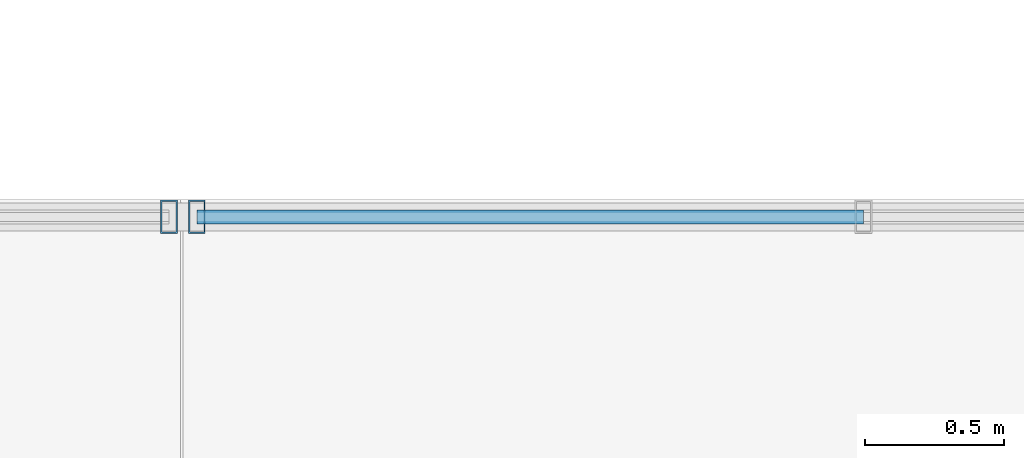
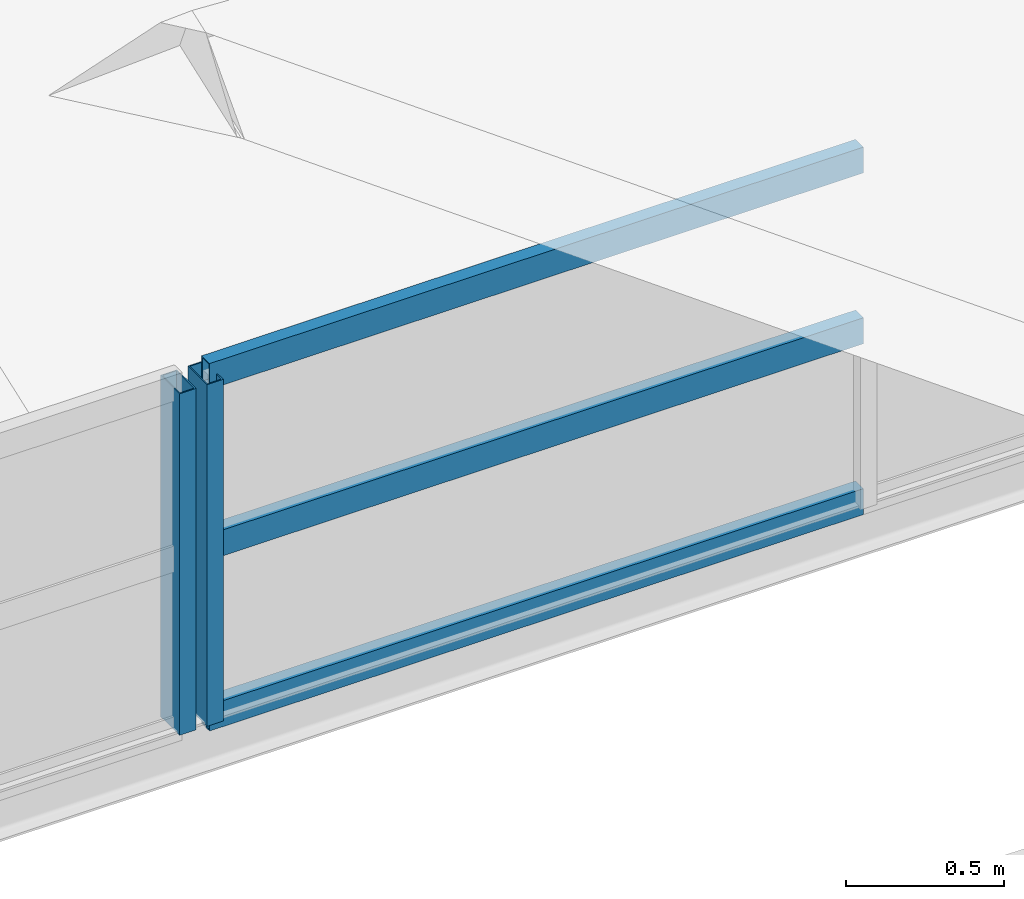
# One storey, part 47 of 141: 5 members, 2 elements without a shape of their own.
"""IFC4 building model written with IfcOpenShell, lengths in metres."""

from ifc_helpers import new_model, si_unit, direction, frame, origin, origin_2d, place, context, subcontext, project, spatial, hollow_rectangle, extrude, material, material_profile, profile_set, type_object, element, aggregate, save


model = new_model("IFC4")

# Units and contexts
model_context = context("Model", 3, precision=1e-05, world=origin(), true_north=direction((0.0, 1.0)))
body_context = subcontext(model_context, "Body", "Model", "MODEL_VIEW")
ifc_project = project(units=[si_unit("LENGTHUNIT", "METRE"), si_unit("AREAUNIT", "SQUARE_METRE"), si_unit("VOLUMEUNIT", "CUBIC_METRE"), si_unit("PLANEANGLEUNIT", "RADIAN"), si_unit("MASSUNIT", "GRAM", prefix="KILO")], contexts=[model_context])

# Site, building, storey
site_placement = place(None, origin())
site = spatial("IfcSite", under=ifc_project, at=site_placement, CompositionType="ELEMENT")
building_placement = place(site_placement, origin())
building = spatial("IfcBuilding", under=site, at=building_placement, Name="Sundkrona Museum", CompositionType="ELEMENT")
storey_placement = place(building_placement, frame((0.0, 0.0, 34.0)))
storey = spatial("IfcBuildingStorey", under=building, at=storey_placement, Name="RF", CompositionType="ELEMENT", Elevation=34.0)

# Curtain wall, member
ifc_material_1 = material(Name="Unitised Aluminium-Steel and Ceramic-Clad Curtain Walling", Category="steel")
curtain_wall_type = type_object("IfcCurtainWallType", Name="CW-SW-240x13", PredefinedType="NOTDEFINED", material=ifc_material_1)
curtain_wall_1_placement = place(storey_placement, origin())
curtain_wall_1 = element("IfcCurtainWall", 1, at=curtain_wall_1_placement, inside=storey, type_object=curtain_wall_type, Name="Sawtooth Bay 4 West North-Light Clerestory", PredefinedType="NOTDEFINED")
ifc_material_2 = material(Name="Aluminium EN AW-6060 T66", Category="aluminium")
ifc_material_profile_1 = material_profile(ifc_material_2, hollow_rectangle(XDim=0.06005859375, YDim=0.1201171875, WallThickness=0.0048828125, at=origin_2d()), Name="RHS 120x60x5.0")
ifc_profile_set_1 = profile_set([ifc_material_profile_1], Name="Aluminium EN AW-6060 T66")
member_type_1 = type_object("IfcMemberType", Name="ML-120", PredefinedType="MULLION", material=ifc_profile_set_1)
member_1_placement = place(storey_placement, frame((143.949951171875, 26.5, 3.472900390625), z_axis=(0.0, 0.0, 1.0), x_axis=(1.0, 0.0, 0.0)))
member_1 = element("IfcMember", 2, at=member_1_placement, type_object=member_type_1, Name="CW-RF-SAW-04W Mullion 11", PredefinedType="MULLION", context=body_context, shape_type="SweptSolid", body=[
    extrude(hollow_rectangle(XDim=0.06005859375, YDim=0.1201171875, WallThickness=0.0048828125, at=origin_2d()), origin(), (0.0, 0.0, 1.0), 1.320068359375),
])
aggregate(curtain_wall_1, [member_1])

# Curtain wall, members
curtain_wall_2_placement = place(storey_placement, origin())
curtain_wall_2 = element("IfcCurtainWall", 3, at=curtain_wall_2_placement, inside=storey, type_object=curtain_wall_type, Name="Sawtooth Bay 4 East North-Light Clerestory", PredefinedType="NOTDEFINED")
member_2_placement = place(storey_placement, frame((144.050048828125, 26.5, 3.472900390625), z_axis=(0.0, 0.0, 1.0), x_axis=(1.0, 0.0, 0.0)))
member_2 = element("IfcMember", 4, at=member_2_placement, type_object=member_type_1, Name="CW-RF-SAW-04E Mullion 01", PredefinedType="MULLION", context=body_context, shape_type="SweptSolid", body=[
    extrude(hollow_rectangle(XDim=0.06005859375, YDim=0.1201171875, WallThickness=0.0048828125, at=origin_2d()), origin(), (0.0, 0.0, 1.0), 1.320068359375),
])
ifc_material_profile_2 = material_profile(ifc_material_2, hollow_rectangle(XDim=0.050048828125, YDim=0.10009765625, WallThickness=0.0048828125, at=origin_2d()), Name="RHS 100x50x5.0")
ifc_profile_set_2 = profile_set([ifc_material_profile_2], Name="Aluminium EN AW-6060 T66")
member_type_2 = type_object("IfcMemberType", Name="TR-100", PredefinedType="USERDEFINED", material=ifc_profile_set_2)
member_3_placement = place(storey_placement, frame((144.050048828125, 26.5, 3.472900390625), z_axis=(1.0, 0.0, 0.0), x_axis=(0.0, 1.0, 0.0)))
member_3 = element("IfcMember", 5, at=member_3_placement, type_object=member_type_2, Name="CW-RF-SAW-04E Transom 01", ObjectType="TRANSOM", PredefinedType="USERDEFINED", context=body_context, shape_type="SweptSolid", body=[
    extrude(hollow_rectangle(XDim=0.050048828125, YDim=0.10009765625, WallThickness=0.0048828125, at=origin_2d()), origin(), (0.0, 0.0, 1.0), 2.389892578125),
])
member_4_placement = place(storey_placement, frame((144.050048828125, 26.5, 4.133056640625), z_axis=(1.0, 0.0, 0.0), x_axis=(0.0, 1.0, 0.0)))
member_4 = element("IfcMember", 6, at=member_4_placement, type_object=member_type_2, Name="CW-RF-SAW-04E Transom 02", ObjectType="TRANSOM", PredefinedType="USERDEFINED", context=body_context, shape_type="SweptSolid", body=[
    extrude(hollow_rectangle(XDim=0.050048828125, YDim=0.10009765625, WallThickness=0.0048828125, at=origin_2d()), origin(), (0.0, 0.0, 1.0), 2.389892578125),
])
member_5_placement = place(storey_placement, frame((144.050048828125, 26.5, 4.79296875), z_axis=(1.0, 0.0, 0.0), x_axis=(0.0, 1.0, 0.0)))
member_5 = element("IfcMember", 7, at=member_5_placement, type_object=member_type_2, Name="CW-RF-SAW-04E Transom 03", ObjectType="TRANSOM", PredefinedType="USERDEFINED", context=body_context, shape_type="SweptSolid", body=[
    extrude(hollow_rectangle(XDim=0.050048828125, YDim=0.10009765625, WallThickness=0.0048828125, at=origin_2d()), origin(), (0.0, 0.0, 1.0), 2.389892578125),
])
aggregate(curtain_wall_2, [member_2, member_3, member_4, member_5])

save(model, "model.ifc")
